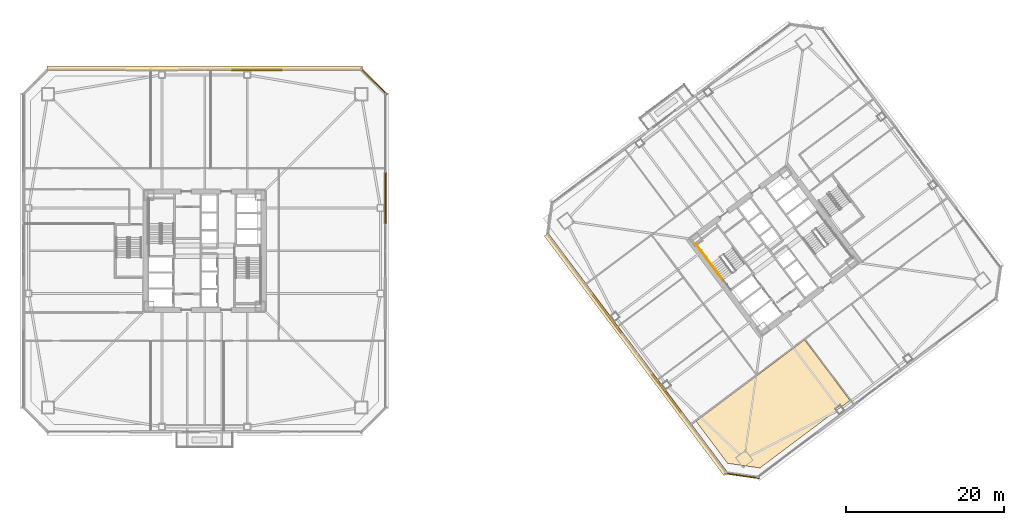
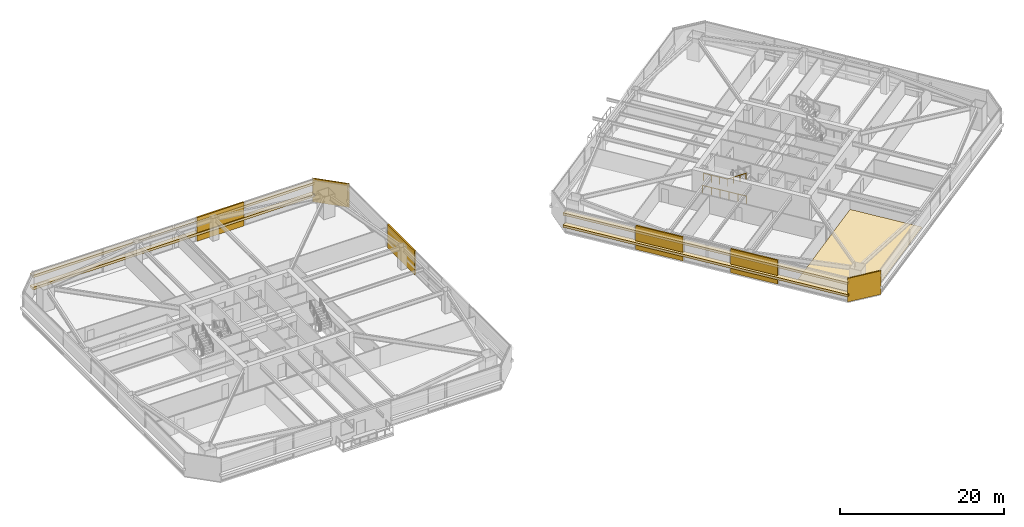
# One storey, part 42 of 45: 11 coverings, 3 railings.
"""IFC4 building model written with IfcOpenShell, lengths in metres."""

from ifc_helpers import new_model, si_unit, direction, frame, origin, origin_2d, place, context, subcontext, project, spatial, polyline, rectangle, outline, extrude, material, layer, layer_set, type_object, element, save


model = new_model("IFC4")

# Units and contexts
model_context = context("Model", 3, precision=1e-05, world=origin(), true_north=direction((0.0, 1.0)))
body_context = subcontext(model_context, "Body", "Model", "MODEL_VIEW")
ifc_project = project(units=[si_unit("LENGTHUNIT", "METRE"), si_unit("AREAUNIT", "SQUARE_METRE"), si_unit("VOLUMEUNIT", "CUBIC_METRE"), si_unit("PLANEANGLEUNIT", "RADIAN"), si_unit("MASSUNIT", "GRAM", prefix="KILO")], contexts=[model_context])

# Site, building, storey
site_placement = place(None, origin())
site = spatial("IfcSite", under=ifc_project, at=site_placement, CompositionType="ELEMENT")
building_placement = place(site_placement, origin())
building = spatial("IfcBuilding", under=site, at=building_placement, Name="Tashvorn Skyway Center", CompositionType="ELEMENT")
storey_placement = place(building_placement, frame((0.0, 0.0, 35.25)))
storey = spatial("IfcBuildingStorey", under=building, at=storey_placement, Name="L08", CompositionType="ELEMENT", Elevation=35.25)

# Coverings
ifc_material_1 = material(Name="Precast concrete C40/50", Category="concrete")
ifc_layer_1 = layer(ifc_material_1, 0.199951171875)
ifc_layer_set_1 = layer_set([ifc_layer_1], Name="Precast concrete C40/50")
covering_type_1 = type_object("IfcCoveringType", Name="COV-BRACE-CLAD", PredefinedType="CLADDING", material=ifc_layer_set_1)
for number, where, z_axis, x_axis, name in (
    (1, (48.626708984375, 54.8798828125, 0.0), (0.0, 0.0, 1.0), (1.0, 0.0, 0.0), "Tower 1 L08 North Unitised Curtain Wall Mega-Brace Cladding Band 2"),
    (2, (64.8798828125, 38.626708984375, 0.0), (0.0, 0.0, 1.0), (0.0, -1.0, 0.0), "Tower 1 L08 East Unitised Curtain Wall Mega-Brace Cladding Band 1"),
):
    element("IfcCovering", number, at=place(storey_placement, frame(where, z_axis=z_axis, x_axis=x_axis)), inside=storey, type_object=covering_type_1, Name=name, PredefinedType="CLADDING", context=body_context, shape_type="SweptSolid", body=[
        extrude(rectangle(XDim=6.626708984375, YDim=0.199951171875, at=origin_2d()), origin(), (0.0, 0.0, 1.0), 3.550048828125),
    ])
for number, where, z_axis, x_axis, name in (
    (3, (100.431884765625, 13.957275390625, 0.0), (0.0, 0.0, 1.0), (-0.600000004945, 0.799999996291, 0.0), "Tower 2 L08 West Unitised Curtain Wall Mega-Brace Cladding Band 1"),
    (4, (92.8798828125, 24.026611328125, 0.0), (0.0, 0.0, 1.0), (-0.600000004945, 0.799999996291, 0.0), "Tower 2 L08 West Unitised Curtain Wall Mega-Brace Cladding Band 2"),
):
    element("IfcCovering", number, at=place(storey_placement, frame(where, z_axis=z_axis, x_axis=x_axis)), inside=storey, type_object=covering_type_1, Name=name, PredefinedType="CLADDING", context=body_context, shape_type="SweptSolid", body=[
        extrude(rectangle(XDim=6.29345703125, YDim=0.199951171875, at=origin_2d()), origin(), (0.0, 0.0, 1.0), 3.550048828125),
    ])
ifc_material_2 = material(Name="Polished Mojave desert-aggregate terrazzo and cover plate")
ifc_layer_2 = layer(ifc_material_2, 0.0400390625)
ifc_layer_set_2 = layer_set([ifc_layer_2], Name="Polished Mojave desert-aggregate terrazzo and cover plate")
covering_type_2 = type_object("IfcCoveringType", Name="COV-FLR-40", PredefinedType="FLOORING", material=ifc_layer_set_2)
covering_1_placement = place(storey_placement, origin())
element("IfcCovering", 5, at=covering_1_placement, inside=storey, type_object=covering_type_2, Name="Tower 2 L08 Open Plan Office Finish Flooring", PredefinedType="FLOORING", context=body_context, shape_type="SweptSolid", body=[
    extrude(outline(polyline([(112.219970703125, 4.5400390625), (108.132080078125, 5.1240234375), (104.14208984375, 10.444091796875), (117.85400390625, 20.72802734375), (123.595947265625, 13.072021484375), (112.219970703125, 4.5400390625)])), origin(), (0.0, 0.0, 1.0), 0.0400390625),
])
ifc_material_3 = material(Name="Perforated ceramic-coated bronze aluminium solar screen", Category="aluminium")
ifc_layer_3 = layer(ifc_material_3, 0.85009765625)
ifc_layer_set_3 = layer_set([ifc_layer_3], Name="Perforated ceramic-coated bronze aluminium solar screen")
covering_type_3 = type_object("IfcCoveringType", Name="COV-SOLAR-BAND", PredefinedType="CLADDING", material=ifc_layer_set_3)
for number, where, z_axis, x_axis, name in (
    (6, (42.0, 55.02001953125, 0.919921875), (0.0, 0.0, 1.0), (1.0, 0.0, 0.0), "L08 Perforated Ceramic-Metal Solar Screen Louvre Band North 1"),
    (7, (42.0, 55.02001953125, 2.7197265625), (0.0, 0.0, 1.0), (1.0, 0.0, 0.0), "L08 Perforated Ceramic-Metal Solar Screen Louvre Band North 2"),
):
    element("IfcCovering", number, at=place(storey_placement, frame(where, z_axis=z_axis, x_axis=x_axis)), inside=storey, type_object=covering_type_3, Name=name, PredefinedType="CLADDING", context=body_context, shape_type="SweptSolid", body=[
        extrude(rectangle(XDim=39.8798828125, YDim=0.639892578125, at=origin_2d()), origin(), (0.0, 0.0, 1.0), 0.360107421875),
    ])
for number, where, z_axis, x_axis, name in (
    (8, (96.5439453125, 18.907958984375, 0.919921875), (0.0, 0.0, 1.0), (-0.600000004945, 0.799999996291, 0.0), "L08 Perforated Ceramic-Metal Solar Screen Louvre Band West 1"),
    (9, (96.5439453125, 18.907958984375, 2.7197265625), (0.0, 0.0, 1.0), (-0.600000004945, 0.799999996291, 0.0), "L08 Perforated Ceramic-Metal Solar Screen Louvre Band West 2"),
):
    element("IfcCovering", number, at=place(storey_placement, frame(where, z_axis=z_axis, x_axis=x_axis)), inside=storey, type_object=covering_type_3, Name=name, PredefinedType="CLADDING", context=body_context, shape_type="SweptSolid", body=[
        extrude(rectangle(XDim=37.8798828125, YDim=0.639892578125, at=origin_2d()), origin(), (0.0, 0.0, 1.0), 0.360107421875),
    ])
ifc_layer_4 = layer(ifc_material_1, 0.35009765625)
ifc_layer_set_4 = layer_set([ifc_layer_4], Name="Precast concrete C40/50")
covering_type_4 = type_object("IfcCoveringType", Name="COV-STONE-TRIM", PredefinedType="CLADDING", material=ifc_layer_set_4)
covering_2_placement = place(storey_placement, frame((63.419921875, 53.419921875, 0.02001953125), z_axis=(0.0, 0.0, 1.0), x_axis=(0.707106781187, -0.707106781187, 0.0)))
element("IfcCovering", 10, at=covering_2_placement, inside=storey, type_object=covering_type_4, Name="Tower 1 L08 NE Mojave Limestone Corner Quoin", PredefinedType="CLADDING", context=body_context, shape_type="SweptSolid", body=[
    extrude(rectangle(XDim=4.685546875, YDim=0.139892578125, at=origin_2d()), origin(), (0.0, 0.0, 1.0), 3.510009765625),
])
covering_3_placement = place(storey_placement, frame((109.93603515625, 3.552001953125, 0.02001953125), z_axis=(0.0, 0.0, 1.0), x_axis=(-0.989949494535, 0.141421350118, 0.0)))
element("IfcCovering", 11, at=covering_3_placement, inside=storey, type_object=covering_type_4, Name="Tower 2 L08 SW Mojave Limestone Corner Quoin", PredefinedType="CLADDING", context=body_context, shape_type="SweptSolid", body=[
    extrude(rectangle(XDim=4.402587890625, YDim=0.139892578125, at=origin_2d()), origin(), (0.0, 0.0, 1.0), 3.510009765625),
])

# Railings
ifc_material_4 = material(Name="Brushed stainless steel 316", Category="steel")
railing_type_1 = type_object("IfcRailingType", Name="RAIL-HAND-920", PredefinedType="HANDRAIL", material=ifc_material_4)
railing_1_placement = place(storey_placement, frame((106.072021484375, 30.35400390625, 1.952392578125)))
element("IfcRailing", 12, at=railing_1_placement, inside=storey, type_object=railing_type_1, Name="L08 ST-T2-1 stair handrail 2", PredefinedType="HANDRAIL", context=body_context, shape_type="SweptSolid", body=[
    extrude(rectangle(XDim=0.048095703125, YDim=0.048095703125, at=origin_2d()), frame((0.0, 0.0, 0.8759765625), z_axis=(0.506718600913, -0.675679348675, 0.535437836974), x_axis=(0.800023250257, 0.599968998406, 0.0)), (0.0, 0.0, 1.0), 2.98388671875),
    extrude(rectangle(XDim=0.0419921875, YDim=0.0419921875, at=origin_2d()), origin(), (0.0, 0.0, 1.0), 0.851806640625),
    extrude(rectangle(XDim=0.0419921875, YDim=0.0419921875, at=origin_2d()), frame((0.50390625, -0.672119140625, 0.532470703125)), (0.0, 0.0, 1.0), 0.851806640625),
    extrude(rectangle(XDim=0.0419921875, YDim=0.0419921875, at=origin_2d()), frame((1.008056640625, -1.343994140625, 1.065185546875)), (0.0, 0.0, 1.0), 0.851806640625),
    extrude(rectangle(XDim=0.0419921875, YDim=0.0419921875, at=origin_2d()), frame((1.511962890625, -2.01611328125, 1.59765625)), (0.0, 0.0, 1.0), 0.851806640625),
])
ifc_material_5 = material(Name="Painted galvanized steel S355", Category="steel")
railing_type_2 = type_object("IfcRailingType", Name="RAIL-STGUARD-1100", PredefinedType="GUARDRAIL", material=ifc_material_5)
railing_2_placement = place(storey_placement, frame((106.072021484375, 30.35400390625, 1.77490234375)))
element("IfcRailing", 13, at=railing_2_placement, inside=storey, type_object=railing_type_2, Name="L08 ST-T2-1 stair guard 3", PredefinedType="GUARDRAIL", context=body_context, shape_type="SweptSolid", body=[
    extrude(rectangle(XDim=0.048095703125, YDim=0.048095703125, at=origin_2d()), frame((0.0, 0.0, 1.076171875), z_axis=(-0.599987638607, 0.800009270896, 0.0), x_axis=(-0.800009270896, -0.599987638607, 0.0)), (0.0, 0.0, 1.0), 3.16015625),
    extrude(rectangle(XDim=0.0419921875, YDim=0.0419921875, at=origin_2d()), origin(), (0.0, 0.0, 1.0), 1.052001953125),
    extrude(rectangle(XDim=0.0419921875, YDim=0.0419921875, at=origin_2d()), frame((-0.632080078125, 0.8427734375, 0.0)), (0.0, 0.0, 1.0), 1.052001953125),
    extrude(rectangle(XDim=0.0419921875, YDim=0.0419921875, at=origin_2d()), frame((-1.263916015625, 1.685302734375, 0.0)), (0.0, 0.0, 1.0), 1.052001953125),
    extrude(rectangle(XDim=0.0419921875, YDim=0.0419921875, at=origin_2d()), frame((-1.89599609375, 2.528076171875, 0.0)), (0.0, 0.0, 1.0), 1.052001953125),
])
railing_3_placement = place(storey_placement, frame((107.56396484375, 28.197998046875, 0.0)))
element("IfcRailing", 14, at=railing_3_placement, inside=storey, type_object=railing_type_2, Name="L08 ST-T2-1 stair guard 7", PredefinedType="GUARDRAIL", context=body_context, shape_type="SweptSolid", body=[
    extrude(rectangle(XDim=0.048095703125, YDim=0.048095703125, at=origin_2d()), frame((0.0, 0.0, 1.076171875), z_axis=(-0.6, 0.8, 0.0), x_axis=(-0.8, -0.6, 0.0)), (0.0, 0.0, 1.0), 5.880126953125),
    extrude(rectangle(XDim=0.0419921875, YDim=0.0419921875, at=origin_2d()), origin(), (0.0, 0.0, 1.0), 1.052001953125),
    extrude(rectangle(XDim=0.0419921875, YDim=0.0419921875, at=origin_2d()), frame((-0.70556640625, 0.94091796875, 0.0)), (0.0, 0.0, 1.0), 1.052001953125),
    extrude(rectangle(XDim=0.0419921875, YDim=0.0419921875, at=origin_2d()), frame((-1.4111328125, 1.881591796875, 0.0)), (0.0, 0.0, 1.0), 1.052001953125),
    extrude(rectangle(XDim=0.0419921875, YDim=0.0419921875, at=origin_2d()), frame((-2.116943359375, 2.822509765625, 0.0)), (0.0, 0.0, 1.0), 1.052001953125),
    extrude(rectangle(XDim=0.0419921875, YDim=0.0419921875, at=origin_2d()), frame((-2.822509765625, 3.76318359375, 0.0)), (0.0, 0.0, 1.0), 1.052001953125),
    extrude(rectangle(XDim=0.0419921875, YDim=0.0419921875, at=origin_2d()), frame((-3.528076171875, 4.7041015625, 0.0)), (0.0, 0.0, 1.0), 1.052001953125),
])

save(model, "model.ifc")
